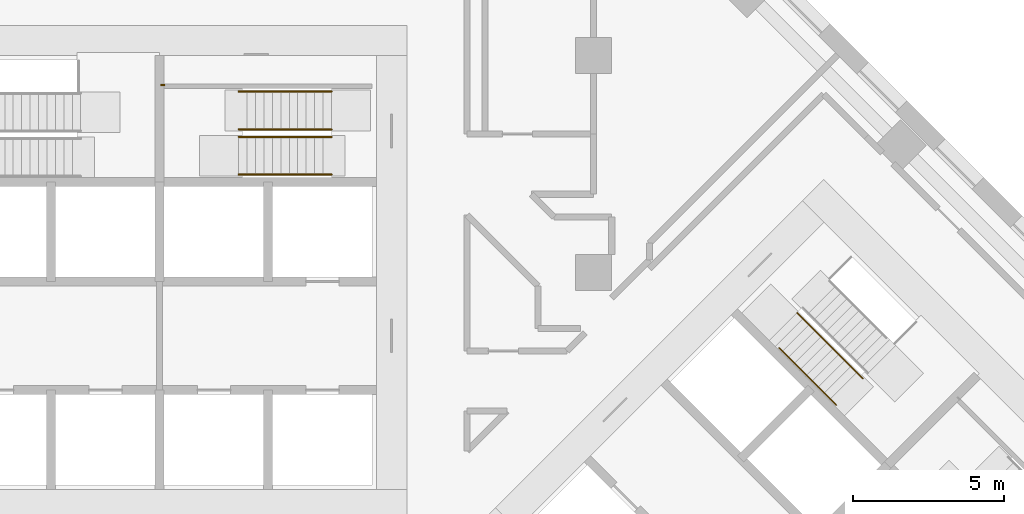
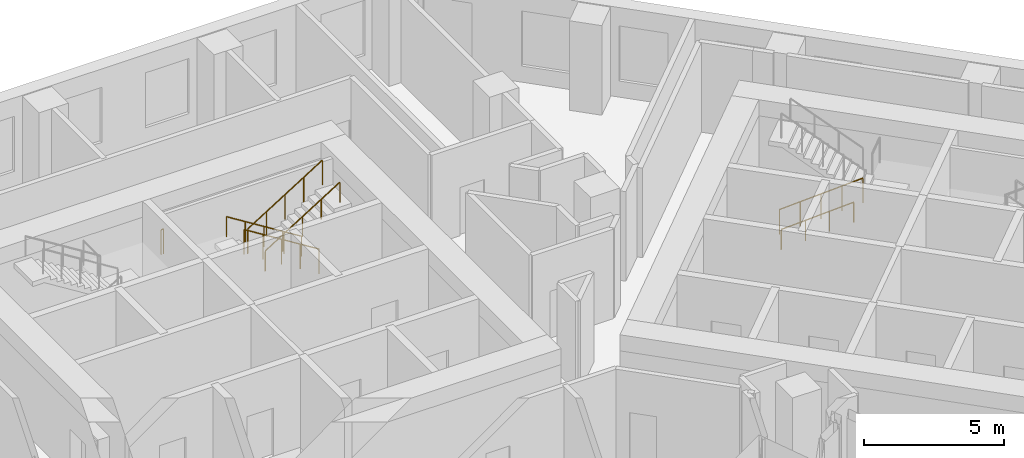
# One storey, part 11 of 12: 7 railings.
"""IFC4 building model written with IfcOpenShell, lengths in metres."""

from ifc_helpers import new_model, si_unit, direction, frame, origin, origin_2d, place, context, subcontext, project, spatial, circle, extrude, material, type_object, element, save


model = new_model("IFC4")

# Units and contexts
model_context = context("Model", 3, precision=1e-05, world=origin(), true_north=direction((0.0, 1.0)))
body_context = subcontext(model_context, "Body", "Model", "MODEL_VIEW")
ifc_project = project(units=[si_unit("LENGTHUNIT", "METRE"), si_unit("AREAUNIT", "SQUARE_METRE"), si_unit("VOLUMEUNIT", "CUBIC_METRE"), si_unit("PLANEANGLEUNIT", "RADIAN"), si_unit("MASSUNIT", "GRAM", prefix="KILO")], contexts=[model_context])

# Site, building, storey
site_placement = place(None, origin())
site = spatial("IfcSite", under=ifc_project, at=site_placement, CompositionType="ELEMENT")
building_placement = place(site_placement, origin())
building = spatial("IfcBuilding", under=site, at=building_placement, Name="Windrow Commons", CompositionType="ELEMENT")
storey_placement = place(building_placement, frame((0.0, 0.0, 22.8)))
storey = spatial("IfcBuildingStorey", under=building, at=storey_placement, Name="L05", CompositionType="ELEMENT", Elevation=22.8)

# Railings
ifc_material_1 = material(Name="Steel S355", Category="steel")
railing_type_1 = type_object("IfcRailingType", Name="Core stair guard 1100", PredefinedType="GUARDRAIL", material=ifc_material_1)
railing_1_placement = place(storey_placement, frame((70.5, 62.355, 0.175)))
element("IfcRailing", 1, at=railing_1_placement, inside=storey, type_object=railing_type_1, Name="L05 ST-A2 stair guard 1", PredefinedType="GUARDRAIL", context=body_context, shape_type="SweptSolid", body=[
    extrude(circle(Radius=0.024, at=origin_2d()), frame((0.0, 0.0, 1.076), z_axis=(-0.847998304, 0.0, 0.52999894), x_axis=(0.0, -1.0, 0.0)), (0.0, 0.0, 1.0), 3.6321),
    extrude(circle(Radius=0.021, at=origin_2d()), origin(), (0.0, 0.0, 1.0), 1.052),
    extrude(circle(Radius=0.021, at=origin_2d()), frame((-0.77, 0.0, 0.4812)), (0.0, 0.0, 1.0), 1.052),
    extrude(circle(Radius=0.021, at=origin_2d()), frame((-1.54, 0.0, 0.9625)), (0.0, 0.0, 1.0), 1.052),
    extrude(circle(Radius=0.021, at=origin_2d()), frame((-2.31, 0.0, 1.4437)), (0.0, 0.0, 1.0), 1.052),
    extrude(circle(Radius=0.021, at=origin_2d()), frame((-3.08, 0.0, 1.925)), (0.0, 0.0, 1.0), 1.052),
])
railing_2_placement = place(storey_placement, frame((67.42, 62.105, 2.275)))
element("IfcRailing", 2, at=railing_2_placement, inside=storey, type_object=railing_type_1, Name="L05 ST-A2 stair guard 2", PredefinedType="GUARDRAIL", context=body_context, shape_type="SweptSolid", body=[
    extrude(circle(Radius=0.024, at=origin_2d()), frame((0.0, 0.0, 1.076), z_axis=(0.847998304, 0.0, 0.52999894), x_axis=(0.0, 1.0, 0.0)), (0.0, 0.0, 1.0), 3.6321),
    extrude(circle(Radius=0.021, at=origin_2d()), origin(), (0.0, 0.0, 1.0), 1.052),
    extrude(circle(Radius=0.021, at=origin_2d()), frame((0.77, 0.0, 0.4813)), (0.0, 0.0, 1.0), 1.052),
    extrude(circle(Radius=0.021, at=origin_2d()), frame((1.54, 0.0, 0.9625)), (0.0, 0.0, 1.0), 1.052),
    extrude(circle(Radius=0.021, at=origin_2d()), frame((2.31, 0.0, 1.4438)), (0.0, 0.0, 1.0), 1.052),
    extrude(circle(Radius=0.021, at=origin_2d()), frame((3.08, 0.0, 1.925)), (0.0, 0.0, 1.0), 1.052),
])
railing_3_placement = place(storey_placement, frame((64.95, 63.825, 2.1)))
element("IfcRailing", 3, at=railing_3_placement, inside=storey, type_object=railing_type_1, Name="L05 ST-A2 stair guard 3", PredefinedType="GUARDRAIL", context=body_context, shape_type="SweptSolid", body=[
    extrude(circle(Radius=0.024, at=origin_2d()), frame((0.0, 0.0, 1.076), z_axis=(-1.0, 0.0, 0.0), x_axis=(0.0, -1.0, 0.0)), (0.0, 0.0, 1.0), 0.1),
    extrude(circle(Radius=0.021, at=origin_2d()), origin(), (0.0, 0.0, 1.0), 1.052),
    extrude(circle(Radius=0.021, at=origin_2d()), frame((-0.1, 0.0, 0.0)), (0.0, 0.0, 1.0), 1.052),
])
railing_4_placement = place(storey_placement, frame((85.9529, 56.2669, 0.175)))
element("IfcRailing", 4, at=railing_4_placement, inside=storey, type_object=railing_type_1, Name="L05 ST-B1 stair guard 1", PredefinedType="GUARDRAIL", context=body_context, shape_type="SweptSolid", body=[
    extrude(circle(Radius=0.024, at=origin_2d()), frame((0.0, 0.0, 1.076), z_axis=(0.5996262107, -0.5996262107, 0.5299969951), x_axis=(0.7071067812, 0.7071067812, 0.0)), (0.0, 0.0, 1.0), 3.6321),
    extrude(circle(Radius=0.021, at=origin_2d()), origin(), (0.0, 0.0, 1.0), 1.052),
    extrude(circle(Radius=0.021, at=origin_2d()), frame((0.5445, -0.5445, 0.4812)), (0.0, 0.0, 1.0), 1.052),
    extrude(circle(Radius=0.021, at=origin_2d()), frame((1.0889, -1.089, 0.9625)), (0.0, 0.0, 1.0), 1.052),
    extrude(circle(Radius=0.021, at=origin_2d()), frame((1.6334, -1.6334, 1.4437)), (0.0, 0.0, 1.0), 1.052),
    extrude(circle(Radius=0.021, at=origin_2d()), frame((2.1779, -2.1779, 1.925)), (0.0, 0.0, 1.0), 1.052),
])
ifc_material_2 = material(Name="Steel S355", Category="steel")
railing_type_2 = type_object("IfcRailingType", Name="Core stair handrail 900", PredefinedType="HANDRAIL", material=ifc_material_2)
railing_5_placement = place(storey_placement, frame((70.5, 63.605, 0.175)))
element("IfcRailing", 5, at=railing_5_placement, inside=storey, type_object=railing_type_2, Name="L05 ST-A2 stair handrail 1", PredefinedType="HANDRAIL", context=body_context, shape_type="SweptSolid", body=[
    extrude(circle(Radius=0.024, at=origin_2d()), frame((0.0, 0.0, 0.876), z_axis=(-0.847998304, 0.0, 0.52999894), x_axis=(0.0, -1.0, 0.0)), (0.0, 0.0, 1.0), 3.6321),
    extrude(circle(Radius=0.021, at=origin_2d()), origin(), (0.0, 0.0, 1.0), 0.852),
    extrude(circle(Radius=0.021, at=origin_2d()), frame((-0.77, 0.0, 0.4812)), (0.0, 0.0, 1.0), 0.852),
    extrude(circle(Radius=0.021, at=origin_2d()), frame((-1.54, 0.0, 0.9625)), (0.0, 0.0, 1.0), 0.852),
    extrude(circle(Radius=0.021, at=origin_2d()), frame((-2.31, 0.0, 1.4437)), (0.0, 0.0, 1.0), 0.852),
    extrude(circle(Radius=0.021, at=origin_2d()), frame((-3.08, 0.0, 1.925)), (0.0, 0.0, 1.0), 0.852),
])
railing_6_placement = place(storey_placement, frame((67.42, 60.855, 2.275)))
element("IfcRailing", 6, at=railing_6_placement, inside=storey, type_object=railing_type_2, Name="L05 ST-A2 stair handrail 2", PredefinedType="HANDRAIL", context=body_context, shape_type="SweptSolid", body=[
    extrude(circle(Radius=0.024, at=origin_2d()), frame((0.0, 0.0, 0.876), z_axis=(0.847998304, 0.0, 0.52999894), x_axis=(0.0, 1.0, 0.0)), (0.0, 0.0, 1.0), 3.6321),
    extrude(circle(Radius=0.021, at=origin_2d()), origin(), (0.0, 0.0, 1.0), 0.852),
    extrude(circle(Radius=0.021, at=origin_2d()), frame((0.77, 0.0, 0.4813)), (0.0, 0.0, 1.0), 0.852),
    extrude(circle(Radius=0.021, at=origin_2d()), frame((1.54, 0.0, 0.9625)), (0.0, 0.0, 1.0), 0.852),
    extrude(circle(Radius=0.021, at=origin_2d()), frame((2.31, 0.0, 1.4438)), (0.0, 0.0, 1.0), 0.852),
    extrude(circle(Radius=0.021, at=origin_2d()), frame((3.08, 0.0, 1.925)), (0.0, 0.0, 1.0), 0.852),
])
railing_7_placement = place(storey_placement, frame((85.3518, 55.1001, 0.425)))
element("IfcRailing", 7, at=railing_7_placement, inside=storey, type_object=railing_type_2, Name="L05 ST-B1 stair handrail 1", PredefinedType="HANDRAIL", context=body_context, shape_type="SweptSolid", body=[
    extrude(circle(Radius=0.024, at=origin_2d()), frame((0.0, 0.0, 0.876), z_axis=(0.599641512, -0.5996098703, 0.5299981703), x_axis=(0.7070881243, 0.7071254376, 0.0)), (0.0, 0.0, 1.0), 3.1604),
    extrude(circle(Radius=0.021, at=origin_2d()), origin(), (0.0, 0.0, 1.0), 0.852),
    extrude(circle(Radius=0.021, at=origin_2d()), frame((0.6317, -0.6317, 0.5583)), (0.0, 0.0, 1.0), 0.852),
    extrude(circle(Radius=0.021, at=origin_2d()), frame((1.2634, -1.2633, 1.1167)), (0.0, 0.0, 1.0), 0.852),
    extrude(circle(Radius=0.021, at=origin_2d()), frame((1.8951, -1.895, 1.675)), (0.0, 0.0, 1.0), 0.852),
])

save(model, "model.ifc")
